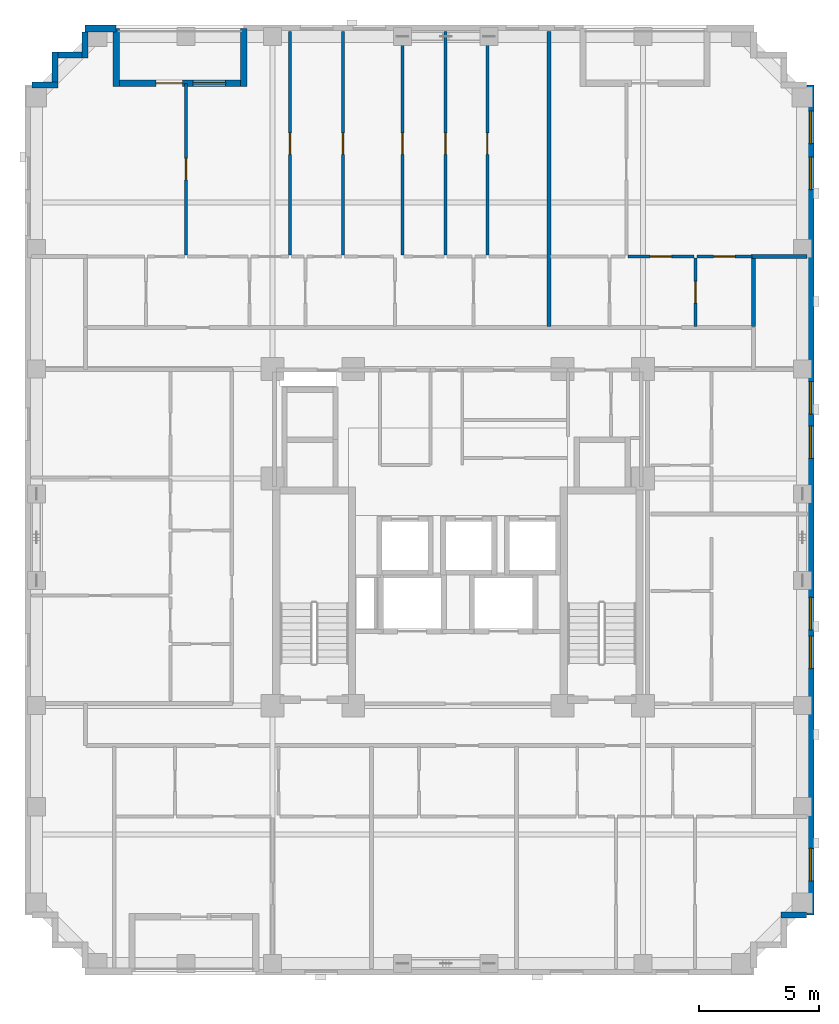
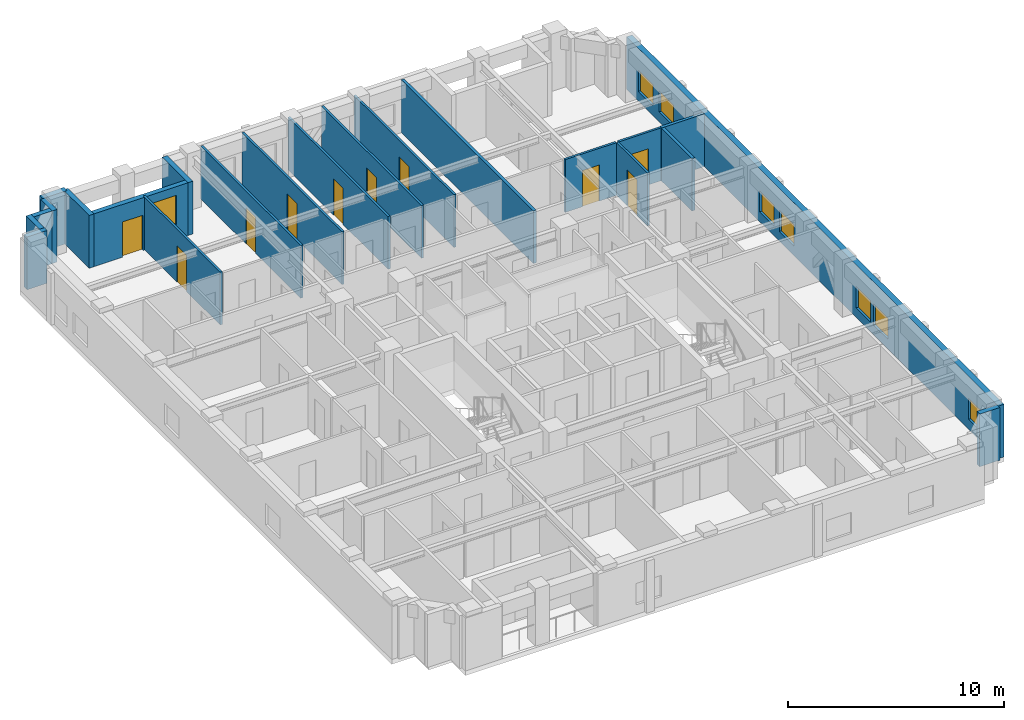
# One storey, part 7 of 11: 22 walls, 10 doors, 8 windows, 18 openings.
"""IFC4 building model written with IfcOpenShell, lengths in metres."""

from ifc_helpers import new_model, si_unit, derived_unit, direction, frame, frame_2d, origin, place, context, subcontext, project, spatial, rectangle, extrude, material, layer, layer_set, type_object, element, fill, save


model = new_model("IFC4")

# Units and contexts
model_context = context("Model", 3, precision=1e-05, world=origin(), true_north=direction((0.0, 1.0)))
body_context = subcontext(model_context, "Body", "Model", "MODEL_VIEW")
ifc_project = project(units=[si_unit("LENGTHUNIT", "METRE"), si_unit("AREAUNIT", "SQUARE_METRE"), si_unit("VOLUMEUNIT", "CUBIC_METRE"), si_unit("PLANEANGLEUNIT", "RADIAN"), si_unit("MASSUNIT", "GRAM", prefix="KILO"), derived_unit("THERMALTRANSMITTANCEUNIT", [(si_unit("MASSUNIT", "GRAM", prefix="KILO"), 1), (si_unit("TIMEUNIT", "SECOND"), -3), (si_unit("THERMODYNAMICTEMPERATUREUNIT", "KELVIN"), -1)])], contexts=[model_context])

# Site, building, storey
site_placement = place(None, origin())
site = spatial("IfcSite", under=ifc_project, at=site_placement, CompositionType="ELEMENT")
building_placement = place(site_placement, origin())
building = spatial("IfcBuilding", under=site, at=building_placement, Name="Korrvale Station Residences", CompositionType="ELEMENT")
storey_placement = place(building_placement, frame((0.0, 0.0, 134.14990234375)))
storey = spatial("IfcBuildingStorey", under=building, at=storey_placement, Name="L38", CompositionType="ELEMENT", Elevation=134.14990234375)

# Wall
ifc_material_1 = material(Name="Precast concrete C45/55", Category="concrete")
ifc_layer_1 = layer(ifc_material_1, 0.260009765625, Name="Precast concrete C45/55")
ifc_layer_set_1 = layer_set([ifc_layer_1], Name="Precast concrete C45/55")
wall_type_1 = type_object("IfcWallType", Name="WAL-EXT-LOG260", PredefinedType="SOLIDWALL", material=ifc_layer_set_1)
wall_1_placement = place(storey_placement, frame((11.300048828125, 43.139892578125, 0.0), z_axis=(0.0, 0.0, 1.0), x_axis=(0.0, -1.0, 0.0)))
element("IfcWall", 1, at=wall_1_placement, inside=storey, type_object=wall_type_1, Name="L38 Recessed Loggia Wall BAL-L38-N2-L", PredefinedType="SOLIDWALL", context=body_context, shape_type="SweptSolid", body=[
    extrude(rectangle(XDim=2.39990234375, YDim=0.260009765625, at=frame_2d((1.199951171875, 0.0))), origin(), (0.0, 0.0, 1.0), 2.989990234375),
])

# Wall, openings, door, window
wall_2_placement = place(storey_placement, frame((11.43408203125, 40.8701171875, 0.0), z_axis=(0.0, 0.0, 1.0), x_axis=(1.0, 0.0, 0.0)))
wall_2 = element("IfcWall", 2, at=wall_2_placement, inside=storey, type_object=wall_type_1, Name="L38 Recessed Loggia Wall BAL-L38-N2-B", PredefinedType="SOLIDWALL", context=body_context, shape_type="SweptSolid", body=[
    extrude(rectangle(XDim=5.031982421875, YDim=0.260009765625, at=frame_2d((2.51611328125, 0.0))), origin(), (0.0, 0.0, 1.0), 2.989990234375),
])
opening_1_placement = place(wall_2_placement, frame((1.52587890625, 0.0, 0.0)))
opening_1 = element("IfcOpeningElement", 3, at=opening_1_placement, cuts=wall_2, Name="Opening BD-01", PredefinedType="OPENING", context=body_context, shape_type="SweptSolid", body=[
    extrude(rectangle(XDim=1.10009765625, YDim=2.0, at=frame_2d((0.550048828125, 1.0))), frame((0.0, 0.14013671875, 0.0), z_axis=(0.0, -1.0, 0.0), x_axis=(1.0, 0.0, 0.0)), (0.0, 0.0, 1.0), 0.280029296875),
])
opening_2_placement = place(wall_2_placement, frame((3.06103515625, 0.0, 0.85009765625)))
opening_2 = element("IfcOpeningElement", 4, at=opening_2_placement, cuts=wall_2, Name="Opening W-06", PredefinedType="OPENING", context=body_context, shape_type="SweptSolid", body=[
    extrude(rectangle(XDim=1.35009765625, YDim=1.64990234375, at=frame_2d((0.675048828125, 0.824951171875))), frame((0.0, 0.14013671875, 0.0), z_axis=(0.0, -1.0, 0.0), x_axis=(1.0, 0.0, 0.0)), (0.0, 0.0, 1.0), 0.280029296875),
])
ifc_material_2 = material(Name="Exterior thermally broken aluminium glazed balcony door", Category="aluminium")
door_type_1 = type_object("IfcDoorType", Name="DR-EXT-BAL", OperationType="NOTDEFINED", PredefinedType="DOOR", material=ifc_material_2)
door_1_placement = place(opening_1_placement, origin())
door_1 = element("IfcDoor", 5, at=door_1_placement, inside=storey, type_object=door_type_1, Name="L38 Loggia Balcony Door BAL-L38-N2", OperationType="SINGLE_SWING_LEFT", OverallHeight=2.0, OverallWidth=1.10009765625, PredefinedType="DOOR", context=body_context, shape_type="SweptSolid", body=[
    extrude(rectangle(XDim=1.10009765625, YDim=2.0, at=frame_2d((0.550048828125, 1.0))), frame((0.0, 0.02490234375, 0.0), z_axis=(0.0, -1.0, 0.0), x_axis=(1.0, 0.0, 0.0)), (0.0, 0.0, 1.0), 0.050048828125),
])
fill(opening_1, door_1)
ifc_material_3 = material(Name="Thermally broken aluminium frame with triple low-e glazing", Category="aluminium")
window_type_1 = type_object("IfcWindowType", Name="WIN-W06", PartitioningType="SINGLE_PANEL", PredefinedType="WINDOW", material=ifc_material_3)
window_1_placement = place(opening_2_placement, origin())
window_1 = element("IfcWindow", 6, at=window_1_placement, inside=storey, type_object=window_type_1, Name="L38 Punched Window 08", OverallHeight=1.64990234375, OverallWidth=1.35009765625, PartitioningType="SINGLE_PANEL", PredefinedType="WINDOW", context=body_context, shape_type="SweptSolid", body=[
    extrude(rectangle(XDim=1.35009765625, YDim=1.64990234375, at=frame_2d((0.675048828125, 0.824951171875))), frame((0.0, 0.030029296875, 0.0), z_axis=(0.0, -1.0, 0.0), x_axis=(1.0, 0.0, 0.0)), (0.0, 0.0, 1.0), 0.06005859375),
])
fill(opening_2, window_1)

# Walls
wall_3_placement = place(storey_placement, frame((16.60009765625, 40.739990234375, 0.0), z_axis=(0.0, 0.0, 1.0), x_axis=(0.0, 1.0, 0.0)))
element("IfcWall", 7, at=wall_3_placement, inside=storey, type_object=wall_type_1, Name="L38 Recessed Loggia Wall BAL-L38-N2-R", PredefinedType="SOLIDWALL", context=body_context, shape_type="SweptSolid", body=[
    extrude(rectangle(XDim=2.39990234375, YDim=0.260009765625, at=frame_2d((1.199951171875, 0.0))), origin(), (0.0, 0.0, 1.0), 2.989990234375),
])
wall_4_placement = place(storey_placement, frame((7.802001953125, 40.800048828125, 0.0), z_axis=(0.0, 0.0, 1.0), x_axis=(1.0, 0.0, 0.0)))
element("IfcWall", 8, at=wall_4_placement, inside=storey, type_object=wall_type_1, Name="L38 Serrated Corner Precast Step NW-1", PredefinedType="SOLIDWALL", context=body_context, shape_type="SweptSolid", body=[
    extrude(rectangle(XDim=1.077880859375, YDim=0.260009765625, at=frame_2d((0.5390625, 0.0))), origin(), (0.0, 0.0, 1.0), 2.989990234375),
])
wall_5_placement = place(storey_placement, frame((8.75, 40.931884765625, 0.0), z_axis=(0.0, 0.0, 1.0), x_axis=(0.0, 1.0, 0.0)))
element("IfcWall", 9, at=wall_5_placement, inside=storey, type_object=wall_type_1, Name="L38 Serrated Corner Precast Step NW-2", PredefinedType="SOLIDWALL", context=body_context, shape_type="SweptSolid", body=[
    extrude(rectangle(XDim=1.248046875, YDim=0.260009765625, at=frame_2d((0.6240234375, 0.0))), origin(), (0.0, 0.0, 1.0), 2.989990234375),
])
wall_6_placement = place(storey_placement, frame((8.882080078125, 42.050048828125, 0.0), z_axis=(0.0, 0.0, 1.0), x_axis=(1.0, 0.0, 0.0)))
element("IfcWall", 10, at=wall_6_placement, inside=storey, type_object=wall_type_1, Name="L38 Serrated Corner Precast Step NW-3", PredefinedType="SOLIDWALL", context=body_context, shape_type="SweptSolid", body=[
    extrude(rectangle(XDim=0.98583984375, YDim=0.260009765625, at=frame_2d((0.492919921875, 0.0))), origin(), (0.0, 0.0, 1.0), 2.989990234375),
])
for number, where, z_axis, x_axis, name in (
    (11, (10.0, 41.919921875, 0.0), (0.0, 0.0, 1.0), (0.0, 1.0, 0.0), "L38 Serrated Corner Precast Step NW-4"),
    (12, (39.998046875, 6.300048828125, 0.0), (0.0, 0.0, 1.0), (-1.0, 0.0, 0.0), "L38 Serrated Corner Precast Step SE-1"),
):
    element("IfcWall", number, at=place(storey_placement, frame(where, z_axis=z_axis, x_axis=x_axis)), inside=storey, type_object=wall_type_1, Name=name, PredefinedType="SOLIDWALL", context=body_context, shape_type="SweptSolid", body=[
        extrude(rectangle(XDim=1.078125, YDim=0.260009765625, at=frame_2d((0.5390625, 0.0))), origin(), (0.0, 0.0, 1.0), 2.989990234375),
    ])
ifc_layer_2 = layer(ifc_material_1, 0.300048828125, Name="Precast concrete C45/55")
ifc_layer_set_2 = layer_set([ifc_layer_2], Name="Precast concrete C45/55")
wall_type_2 = type_object("IfcWallType", Name="WAL-EXT-PC300", PredefinedType="SOLIDWALL", material=ifc_layer_set_2)
wall_7_placement = place(storey_placement, frame((10.0, 43.14990234375, 0.0), z_axis=(0.0, 0.0, 1.0), x_axis=(1.0, 0.0, 0.0)))
element("IfcWall", 13, at=wall_7_placement, inside=storey, type_object=wall_type_2, Name="L38 North Exterior Precast Wall 1", PredefinedType="SOLIDWALL", context=body_context, shape_type="SweptSolid", body=[
    extrude(rectangle(XDim=1.300048828125, YDim=0.300048828125, at=frame_2d((0.64990234375, 0.0))), origin(), (0.0, 0.0, 1.0), 2.989990234375),
])

# Wall, openings, windows
wall_8_placement = place(storey_placement, frame((40.14990234375, 40.800048828125, 0.0), z_axis=(0.0, 0.0, 1.0), x_axis=(0.0, -1.0, 0.0)))
wall_8 = element("IfcWall", 14, at=wall_8_placement, inside=storey, type_object=wall_type_2, Name="L38 East Exterior Precast Wall 1", PredefinedType="SOLIDWALL", context=body_context, shape_type="SweptSolid", body=[
    extrude(rectangle(XDim=34.5, YDim=0.300048828125, at=frame_2d((17.25, 0.0))), origin(), (0.0, 0.0, 1.0), 2.989990234375),
])
opening_3_placement = place(wall_8_placement, frame((31.72509765625, 0.0, 0.550048828125)))
opening_3 = element("IfcOpeningElement", 15, at=opening_3_placement, cuts=wall_8, Name="Opening W-10", PredefinedType="OPENING", context=body_context, shape_type="SweptSolid", body=[
    extrude(rectangle(XDim=1.35009765625, YDim=1.199951171875, at=frame_2d((0.675048828125, 0.60009765625))), frame((0.0, 0.16015625, 0.0), z_axis=(0.0, -1.0, 0.0), x_axis=(1.0, 0.0, 0.0)), (0.0, 0.0, 1.0), 0.320068359375),
])
opening_4_placement = place(wall_8_placement, frame((3.0, 0.0, 0.550048828125)))
opening_4 = element("IfcOpeningElement", 16, at=opening_4_placement, cuts=wall_8, Name="Opening W-10", PredefinedType="OPENING", context=body_context, shape_type="SweptSolid", body=[
    extrude(rectangle(XDim=1.35009765625, YDim=1.199951171875, at=frame_2d((0.675048828125, 0.60009765625))), frame((0.0, 0.16015625, 0.0), z_axis=(0.0, -1.0, 0.0), x_axis=(1.0, 0.0, 0.0)), (0.0, 0.0, 1.0), 0.320068359375),
])
opening_5_placement = place(wall_8_placement, frame((1.0849609375, 0.0, 0.550048828125)))
opening_5 = element("IfcOpeningElement", 17, at=opening_5_placement, cuts=wall_8, Name="Opening W-10", PredefinedType="OPENING", context=body_context, shape_type="SweptSolid", body=[
    extrude(rectangle(XDim=1.35009765625, YDim=1.199951171875, at=frame_2d((0.675048828125, 0.60009765625))), frame((0.0, 0.16015625, 0.0), z_axis=(0.0, -1.0, 0.0), x_axis=(1.0, 0.0, 0.0)), (0.0, 0.0, 1.0), 0.320068359375),
])
opening_6_placement = place(wall_8_placement, frame((21.300048828125, 0.0, 0.550048828125)))
opening_6 = element("IfcOpeningElement", 18, at=opening_6_placement, cuts=wall_8, Name="Opening W-10", PredefinedType="OPENING", context=body_context, shape_type="SweptSolid", body=[
    extrude(rectangle(XDim=1.35009765625, YDim=1.199951171875, at=frame_2d((0.675048828125, 0.60009765625))), frame((0.0, 0.16015625, 0.0), z_axis=(0.0, -1.0, 0.0), x_axis=(1.0, 0.0, 0.0)), (0.0, 0.0, 1.0), 0.320068359375),
])
opening_7_placement = place(wall_8_placement, frame((22.909912109375, 0.0, 0.550048828125)))
opening_7 = element("IfcOpeningElement", 19, at=opening_7_placement, cuts=wall_8, Name="Opening W-10", PredefinedType="OPENING", context=body_context, shape_type="SweptSolid", body=[
    extrude(rectangle(XDim=1.35009765625, YDim=1.199951171875, at=frame_2d((0.675048828125, 0.60009765625))), frame((0.0, 0.16015625, 0.0), z_axis=(0.0, -1.0, 0.0), x_axis=(1.0, 0.0, 0.0)), (0.0, 0.0, 1.0), 0.320068359375),
])
opening_8_placement = place(wall_8_placement, frame((14.175048828125, 0.0, 0.550048828125)))
opening_8 = element("IfcOpeningElement", 20, at=opening_8_placement, cuts=wall_8, Name="Opening W-10", PredefinedType="OPENING", context=body_context, shape_type="SweptSolid", body=[
    extrude(rectangle(XDim=1.35009765625, YDim=1.199951171875, at=frame_2d((0.675048828125, 0.60009765625))), frame((0.0, 0.16015625, 0.0), z_axis=(0.0, -1.0, 0.0), x_axis=(1.0, 0.0, 0.0)), (0.0, 0.0, 1.0), 0.320068359375),
])
opening_9_placement = place(wall_8_placement, frame((12.3349609375, 0.0, 0.550048828125)))
opening_9 = element("IfcOpeningElement", 21, at=opening_9_placement, cuts=wall_8, Name="Opening W-10", PredefinedType="OPENING", context=body_context, shape_type="SweptSolid", body=[
    extrude(rectangle(XDim=1.35009765625, YDim=1.199951171875, at=frame_2d((0.675048828125, 0.60009765625))), frame((0.0, 0.16015625, 0.0), z_axis=(0.0, -1.0, 0.0), x_axis=(1.0, 0.0, 0.0)), (0.0, 0.0, 1.0), 0.320068359375),
])
window_type_2 = type_object("IfcWindowType", Name="WIN-W10", PartitioningType="SINGLE_PANEL", PredefinedType="WINDOW", material=ifc_material_3)
window_2_placement = place(opening_3_placement, origin())
window_2 = element("IfcWindow", 22, at=window_2_placement, inside=storey, type_object=window_type_2, Name="L38 Punched Window 05", OverallHeight=1.199951171875, OverallWidth=1.35009765625, PartitioningType="SINGLE_PANEL", PredefinedType="WINDOW", context=body_context, shape_type="SweptSolid", body=[
    extrude(rectangle(XDim=1.35009765625, YDim=1.199951171875, at=frame_2d((0.675048828125, 0.60009765625))), frame((0.0, 0.030029296875, 0.0), z_axis=(0.0, -1.0, 0.0), x_axis=(1.0, 0.0, 0.0)), (0.0, 0.0, 1.0), 0.06005859375),
])
fill(opening_3, window_2)
window_3_placement = place(opening_4_placement, origin())
window_3 = element("IfcWindow", 23, at=window_3_placement, inside=storey, type_object=window_type_2, Name="L38 Punched Window 13", OverallHeight=1.199951171875, OverallWidth=1.35009765625, PartitioningType="SINGLE_PANEL", PredefinedType="WINDOW", context=body_context, shape_type="SweptSolid", body=[
    extrude(rectangle(XDim=1.35009765625, YDim=1.199951171875, at=frame_2d((0.675048828125, 0.60009765625))), frame((0.0, 0.030029296875, 0.0), z_axis=(0.0, -1.0, 0.0), x_axis=(1.0, 0.0, 0.0)), (0.0, 0.0, 1.0), 0.06005859375),
])
fill(opening_4, window_3)
window_4_placement = place(opening_5_placement, origin())
window_4 = element("IfcWindow", 24, at=window_4_placement, inside=storey, type_object=window_type_2, Name="L38 Punched Window 14", OverallHeight=1.199951171875, OverallWidth=1.35009765625, PartitioningType="SINGLE_PANEL", PredefinedType="WINDOW", context=body_context, shape_type="SweptSolid", body=[
    extrude(rectangle(XDim=1.35009765625, YDim=1.199951171875, at=frame_2d((0.675048828125, 0.60009765625))), frame((0.0, 0.030029296875, 0.0), z_axis=(0.0, -1.0, 0.0), x_axis=(1.0, 0.0, 0.0)), (0.0, 0.0, 1.0), 0.06005859375),
])
fill(opening_5, window_4)
window_5_placement = place(opening_6_placement, origin())
window_5 = element("IfcWindow", 25, at=window_5_placement, inside=storey, type_object=window_type_2, Name="L38 Punched Window 17", OverallHeight=1.199951171875, OverallWidth=1.35009765625, PartitioningType="SINGLE_PANEL", PredefinedType="WINDOW", context=body_context, shape_type="SweptSolid", body=[
    extrude(rectangle(XDim=1.35009765625, YDim=1.199951171875, at=frame_2d((0.675048828125, 0.60009765625))), frame((0.0, 0.030029296875, 0.0), z_axis=(0.0, -1.0, 0.0), x_axis=(1.0, 0.0, 0.0)), (0.0, 0.0, 1.0), 0.06005859375),
])
fill(opening_6, window_5)
window_6_placement = place(opening_7_placement, origin())
window_6 = element("IfcWindow", 26, at=window_6_placement, inside=storey, type_object=window_type_2, Name="L38 Punched Window 18", OverallHeight=1.199951171875, OverallWidth=1.35009765625, PartitioningType="SINGLE_PANEL", PredefinedType="WINDOW", context=body_context, shape_type="SweptSolid", body=[
    extrude(rectangle(XDim=1.35009765625, YDim=1.199951171875, at=frame_2d((0.675048828125, 0.60009765625))), frame((0.0, 0.030029296875, 0.0), z_axis=(0.0, -1.0, 0.0), x_axis=(1.0, 0.0, 0.0)), (0.0, 0.0, 1.0), 0.06005859375),
])
fill(opening_7, window_6)
window_7_placement = place(opening_8_placement, origin())
window_7 = element("IfcWindow", 27, at=window_7_placement, inside=storey, type_object=window_type_2, Name="L38 Punched Window 19", OverallHeight=1.199951171875, OverallWidth=1.35009765625, PartitioningType="SINGLE_PANEL", PredefinedType="WINDOW", context=body_context, shape_type="SweptSolid", body=[
    extrude(rectangle(XDim=1.35009765625, YDim=1.199951171875, at=frame_2d((0.675048828125, 0.60009765625))), frame((0.0, 0.030029296875, 0.0), z_axis=(0.0, -1.0, 0.0), x_axis=(1.0, 0.0, 0.0)), (0.0, 0.0, 1.0), 0.06005859375),
])
fill(opening_8, window_7)
window_8_placement = place(opening_9_placement, origin())
window_8 = element("IfcWindow", 28, at=window_8_placement, inside=storey, type_object=window_type_2, Name="L38 Punched Window 20", OverallHeight=1.199951171875, OverallWidth=1.35009765625, PartitioningType="SINGLE_PANEL", PredefinedType="WINDOW", context=body_context, shape_type="SweptSolid", body=[
    extrude(rectangle(XDim=1.35009765625, YDim=1.199951171875, at=frame_2d((0.675048828125, 0.60009765625))), frame((0.0, 0.030029296875, 0.0), z_axis=(0.0, -1.0, 0.0), x_axis=(1.0, 0.0, 0.0)), (0.0, 0.0, 1.0), 0.06005859375),
])
fill(opening_9, window_8)

# Wall, opening, door
ifc_material_4 = material(Name="Acoustic steel-stud gypsum board partition", Category="steel")
ifc_layer_3 = layer(ifc_material_4, 0.1201171875, Name="Acoustic steel-stud gypsum board partition")
ifc_layer_set_3 = layer_set([ifc_layer_3], Name="Acoustic steel-stud gypsum board partition")
wall_type_3 = type_object("IfcWallType", Name="WAL-PART-125", PredefinedType="PARTITIONING", material=ifc_layer_set_3)
wall_9_placement = place(storey_placement, frame((14.199951171875, 33.72998046875, 0.0), z_axis=(0.0, 0.0, 1.0), x_axis=(0.0, 1.0, 0.0)))
wall_9 = element("IfcWall", 29, at=wall_9_placement, inside=storey, type_object=wall_type_3, Name="L38 Suite Partition U04-V67", PredefinedType="PARTITIONING", context=body_context, shape_type="SweptSolid", body=[
    extrude(rectangle(XDim=7.14013671875, YDim=0.1201171875, at=frame_2d((3.570068359375, 0.0))), origin(), (0.0, 0.0, 1.0), 2.989990234375),
])
opening_10_placement = place(wall_9_placement, frame((3.1201171875, 0.0, 0.0)))
opening_10 = element("IfcOpeningElement", 30, at=opening_10_placement, cuts=wall_9, Name="Opening DI-900", PredefinedType="OPENING", context=body_context, shape_type="SweptSolid", body=[
    extrude(rectangle(XDim=0.89990234375, YDim=2.050048828125, at=frame_2d((0.449951171875, 1.02490234375))), frame((0.0, 0.070068359375, 0.0), z_axis=(0.0, -1.0, 0.0), x_axis=(1.0, 0.0, 0.0)), (0.0, 0.0, 1.0), 0.14013671875),
])
ifc_material_5 = material(Name="Painted solid-core timber interior room door", Category="wood")
door_type_2 = type_object("IfcDoorType", Name="DR-INT-900", OperationType="NOTDEFINED", PredefinedType="DOOR", material=ifc_material_5)
door_2_placement = place(opening_10_placement, origin())
door_2 = element("IfcDoor", 31, at=door_2_placement, inside=storey, type_object=door_type_2, Name="L38 Apartment 2BR L38-U04 Living and Dining Room Door", OperationType="SINGLE_SWING_RIGHT", OverallHeight=2.050048828125, OverallWidth=0.89990234375, PredefinedType="DOOR", context=body_context, shape_type="SweptSolid", body=[
    extrude(rectangle(XDim=0.89990234375, YDim=2.050048828125, at=frame_2d((0.449951171875, 1.02490234375))), frame((0.0, 0.02490234375, 0.0), z_axis=(0.0, -1.0, 0.0), x_axis=(1.0, 0.0, 0.0)), (0.0, 0.0, 1.0), 0.050048828125),
])
fill(opening_10, door_2)

wall_10_placement = place(storey_placement, frame((18.52001953125, 33.72998046875, 0.0), z_axis=(0.0, 0.0, 1.0), x_axis=(0.0, 1.0, 0.0)))
wall_10 = element("IfcWall", 32, at=wall_10_placement, inside=storey, type_object=wall_type_3, Name="L38 Suite Partition U04-V78", PredefinedType="PARTITIONING", context=body_context, shape_type="SweptSolid", body=[
    extrude(rectangle(XDim=9.2900390625, YDim=0.1201171875, at=frame_2d((4.64501953125, 0.0))), origin(), (0.0, 0.0, 1.0), 2.989990234375),
])
opening_11_placement = place(wall_10_placement, frame((4.179931640625, 0.0, 0.0)))
opening_11 = element("IfcOpeningElement", 33, at=opening_11_placement, cuts=wall_10, Name="Opening DI-900", PredefinedType="OPENING", context=body_context, shape_type="SweptSolid", body=[
    extrude(rectangle(XDim=0.89990234375, YDim=2.050048828125, at=frame_2d((0.449951171875, 1.02490234375))), frame((0.0, 0.070068359375, 0.0), z_axis=(0.0, -1.0, 0.0), x_axis=(1.0, 0.0, 0.0)), (0.0, 0.0, 1.0), 0.14013671875),
])
door_3_placement = place(opening_11_placement, origin())
door_3 = element("IfcDoor", 34, at=door_3_placement, inside=storey, type_object=door_type_2, Name="L38 Apartment 2BR L38-U04 Formal Dining Room Door", OperationType="SINGLE_SWING_LEFT", OverallHeight=2.050048828125, OverallWidth=0.89990234375, PredefinedType="DOOR", context=body_context, shape_type="SweptSolid", body=[
    extrude(rectangle(XDim=0.89990234375, YDim=2.050048828125, at=frame_2d((0.449951171875, 1.02490234375))), frame((0.0, 0.02490234375, 0.0), z_axis=(0.0, -1.0, 0.0), x_axis=(1.0, 0.0, 0.0)), (0.0, 0.0, 1.0), 0.050048828125),
])
fill(opening_11, door_3)

wall_11_placement = place(storey_placement, frame((20.72705078125, 33.72998046875, 0.0), z_axis=(0.0, 0.0, 1.0), x_axis=(0.0, 1.0, 0.0)))
wall_11 = element("IfcWall", 35, at=wall_11_placement, inside=storey, type_object=wall_type_3, Name="L38 Suite Partition U04-V89", PredefinedType="PARTITIONING", context=body_context, shape_type="SweptSolid", body=[
    extrude(rectangle(XDim=9.2900390625, YDim=0.1201171875, at=frame_2d((4.64501953125, 0.0))), origin(), (0.0, 0.0, 1.0), 2.989990234375),
])
opening_12_placement = place(wall_11_placement, frame((4.179931640625, 0.0, 0.0)))
opening_12 = element("IfcOpeningElement", 36, at=opening_12_placement, cuts=wall_11, Name="Opening DI-900", PredefinedType="OPENING", context=body_context, shape_type="SweptSolid", body=[
    extrude(rectangle(XDim=0.89990234375, YDim=2.050048828125, at=frame_2d((0.449951171875, 1.02490234375))), frame((0.0, 0.070068359375, 0.0), z_axis=(0.0, -1.0, 0.0), x_axis=(1.0, 0.0, 0.0)), (0.0, 0.0, 1.0), 0.14013671875),
])
door_4_placement = place(opening_12_placement, origin())
door_4 = element("IfcDoor", 37, at=door_4_placement, inside=storey, type_object=door_type_2, Name="L38 Apartment 2BR L38-U04 Home Study Room Door", OperationType="SINGLE_SWING_RIGHT", OverallHeight=2.050048828125, OverallWidth=0.89990234375, PredefinedType="DOOR", context=body_context, shape_type="SweptSolid", body=[
    extrude(rectangle(XDim=0.89990234375, YDim=2.050048828125, at=frame_2d((0.449951171875, 1.02490234375))), frame((0.0, 0.02490234375, 0.0), z_axis=(0.0, -1.0, 0.0), x_axis=(1.0, 0.0, 0.0)), (0.0, 0.0, 1.0), 0.050048828125),
])
fill(opening_12, door_4)

wall_12_placement = place(storey_placement, frame((23.199951171875, 33.72998046875, 0.0), z_axis=(0.0, 0.0, 1.0), x_axis=(0.0, 1.0, 0.0)))
wall_12 = element("IfcWall", 38, at=wall_12_placement, inside=storey, type_object=wall_type_3, Name="L38 Suite Partition U04-V910", PredefinedType="PARTITIONING", context=body_context, shape_type="SweptSolid", body=[
    extrude(rectangle(XDim=9.2900390625, YDim=0.1201171875, at=frame_2d((4.64501953125, 0.0))), origin(), (0.0, 0.0, 1.0), 2.989990234375),
])
opening_13_placement = place(wall_12_placement, frame((4.179931640625, 0.0, 0.0)))
opening_13 = element("IfcOpeningElement", 39, at=opening_13_placement, cuts=wall_12, Name="Opening DI-900", PredefinedType="OPENING", context=body_context, shape_type="SweptSolid", body=[
    extrude(rectangle(XDim=0.89990234375, YDim=2.050048828125, at=frame_2d((0.449951171875, 1.02490234375))), frame((0.0, 0.070068359375, 0.0), z_axis=(0.0, -1.0, 0.0), x_axis=(1.0, 0.0, 0.0)), (0.0, 0.0, 1.0), 0.14013671875),
])
door_5_placement = place(opening_13_placement, origin())
door_5 = element("IfcDoor", 40, at=door_5_placement, inside=storey, type_object=door_type_2, Name="L38 Apartment 2BR L38-U04 Bedroom 1 Door", OperationType="SINGLE_SWING_LEFT", OverallHeight=2.050048828125, OverallWidth=0.89990234375, PredefinedType="DOOR", context=body_context, shape_type="SweptSolid", body=[
    extrude(rectangle(XDim=0.89990234375, YDim=2.050048828125, at=frame_2d((0.449951171875, 1.02490234375))), frame((0.0, 0.02490234375, 0.0), z_axis=(0.0, -1.0, 0.0), x_axis=(1.0, 0.0, 0.0)), (0.0, 0.0, 1.0), 0.050048828125),
])
fill(opening_13, door_5)

wall_13_placement = place(storey_placement, frame((24.985107421875, 33.72998046875, 0.0), z_axis=(0.0, 0.0, 1.0), x_axis=(0.0, 1.0, 0.0)))
wall_13 = element("IfcWall", 41, at=wall_13_placement, inside=storey, type_object=wall_type_3, Name="L38 Suite Partition U04-V1011", PredefinedType="PARTITIONING", context=body_context, shape_type="SweptSolid", body=[
    extrude(rectangle(XDim=9.2900390625, YDim=0.1201171875, at=frame_2d((4.64501953125, 0.0))), origin(), (0.0, 0.0, 1.0), 2.989990234375),
])
opening_14_placement = place(wall_13_placement, frame((4.179931640625, 0.0, 0.0)))
opening_14 = element("IfcOpeningElement", 42, at=opening_14_placement, cuts=wall_13, Name="Opening DI-900", PredefinedType="OPENING", context=body_context, shape_type="SweptSolid", body=[
    extrude(rectangle(XDim=0.89990234375, YDim=2.050048828125, at=frame_2d((0.449951171875, 1.02490234375))), frame((0.0, 0.070068359375, 0.0), z_axis=(0.0, -1.0, 0.0), x_axis=(1.0, 0.0, 0.0)), (0.0, 0.0, 1.0), 0.14013671875),
])
door_6_placement = place(opening_14_placement, origin())
door_6 = element("IfcDoor", 43, at=door_6_placement, inside=storey, type_object=door_type_2, Name="L38 Apartment 2BR L38-U04 Dressing Closet 1 Door", OperationType="SINGLE_SWING_RIGHT", OverallHeight=2.050048828125, OverallWidth=0.89990234375, PredefinedType="DOOR", context=body_context, shape_type="SweptSolid", body=[
    extrude(rectangle(XDim=0.89990234375, YDim=2.050048828125, at=frame_2d((0.449951171875, 1.02490234375))), frame((0.0, 0.02490234375, 0.0), z_axis=(0.0, -1.0, 0.0), x_axis=(1.0, 0.0, 0.0)), (0.0, 0.0, 1.0), 0.050048828125),
])
fill(opening_14, door_6)

wall_14_placement = place(storey_placement, frame((26.72509765625, 33.72998046875, 0.0), z_axis=(0.0, 0.0, 1.0), x_axis=(0.0, 1.0, 0.0)))
wall_14 = element("IfcWall", 44, at=wall_14_placement, inside=storey, type_object=wall_type_3, Name="L38 Suite Partition U04-V1112", PredefinedType="PARTITIONING", context=body_context, shape_type="SweptSolid", body=[
    extrude(rectangle(XDim=9.2900390625, YDim=0.1201171875, at=frame_2d((4.64501953125, 0.0))), origin(), (0.0, 0.0, 1.0), 2.989990234375),
])
opening_15_placement = place(wall_14_placement, frame((4.179931640625, 0.0, 0.0)))
opening_15 = element("IfcOpeningElement", 45, at=opening_15_placement, cuts=wall_14, Name="Opening DI-900", PredefinedType="OPENING", context=body_context, shape_type="SweptSolid", body=[
    extrude(rectangle(XDim=0.89990234375, YDim=2.050048828125, at=frame_2d((0.449951171875, 1.02490234375))), frame((0.0, 0.070068359375, 0.0), z_axis=(0.0, -1.0, 0.0), x_axis=(1.0, 0.0, 0.0)), (0.0, 0.0, 1.0), 0.14013671875),
])
door_7_placement = place(opening_15_placement, origin())
door_7 = element("IfcDoor", 46, at=door_7_placement, inside=storey, type_object=door_type_2, Name="L38 Apartment 2BR L38-U04 Dressing Closet 2 Door", OperationType="SINGLE_SWING_LEFT", OverallHeight=2.050048828125, OverallWidth=0.89990234375, PredefinedType="DOOR", context=body_context, shape_type="SweptSolid", body=[
    extrude(rectangle(XDim=0.89990234375, YDim=2.050048828125, at=frame_2d((0.449951171875, 1.02490234375))), frame((0.0, 0.02490234375, 0.0), z_axis=(0.0, -1.0, 0.0), x_axis=(1.0, 0.0, 0.0)), (0.0, 0.0, 1.0), 0.050048828125),
])
fill(opening_15, door_7)

wall_15_placement = place(storey_placement, frame((35.373046875, 30.760009765625, 0.0), z_axis=(0.0, 0.0, 1.0), x_axis=(0.0, 1.0, 0.0)))
wall_15 = element("IfcWall", 47, at=wall_15_placement, inside=storey, type_object=wall_type_3, Name="L38 Suite Partition U05-V12", PredefinedType="PARTITIONING", context=body_context, shape_type="SweptSolid", body=[
    extrude(rectangle(XDim=2.85009765625, YDim=0.1201171875, at=frame_2d((1.425048828125, 0.0))), origin(), (0.0, 0.0, 1.0), 2.989990234375),
])
opening_16_placement = place(wall_15_placement, frame((0.97509765625, 0.0, 0.0)))
opening_16 = element("IfcOpeningElement", 48, at=opening_16_placement, cuts=wall_15, Name="Opening DI-900", PredefinedType="OPENING", context=body_context, shape_type="SweptSolid", body=[
    extrude(rectangle(XDim=0.89990234375, YDim=2.050048828125, at=frame_2d((0.449951171875, 1.02490234375))), frame((0.0, 0.070068359375, 0.0), z_axis=(0.0, -1.0, 0.0), x_axis=(1.0, 0.0, 0.0)), (0.0, 0.0, 1.0), 0.14013671875),
])
door_8_placement = place(opening_16_placement, origin())
door_8 = element("IfcDoor", 49, at=door_8_placement, inside=storey, type_object=door_type_2, Name="L38 Studio Apartment L38-U05 Kitchen Door", OperationType="SINGLE_SWING_LEFT", OverallHeight=2.050048828125, OverallWidth=0.89990234375, PredefinedType="DOOR", context=body_context, shape_type="SweptSolid", body=[
    extrude(rectangle(XDim=0.89990234375, YDim=2.050048828125, at=frame_2d((0.449951171875, 1.02490234375))), frame((0.0, 0.02490234375, 0.0), z_axis=(0.0, -1.0, 0.0), x_axis=(1.0, 0.0, 0.0)), (0.0, 0.0, 1.0), 0.050048828125),
])
fill(opening_16, door_8)

wall_16_placement = place(storey_placement, frame((32.56298828125, 33.669921875, 0.0), z_axis=(0.0, 0.0, 1.0), x_axis=(1.0, 0.0, 0.0)))
wall_16 = element("IfcWall", 50, at=wall_16_placement, inside=storey, type_object=wall_type_3, Name="L38 Suite Partition U05-H14", PredefinedType="PARTITIONING", context=body_context, shape_type="SweptSolid", body=[
    extrude(rectangle(XDim=2.75, YDim=0.1201171875, at=frame_2d((1.375, 0.0))), origin(), (0.0, 0.0, 1.0), 2.989990234375),
])
opening_17_placement = place(wall_16_placement, frame((0.925048828125, 0.0, 0.0)))
opening_17 = element("IfcOpeningElement", 51, at=opening_17_placement, cuts=wall_16, Name="Opening DI-900", PredefinedType="OPENING", context=body_context, shape_type="SweptSolid", body=[
    extrude(rectangle(XDim=0.89990234375, YDim=2.050048828125, at=frame_2d((0.449951171875, 1.02490234375))), frame((0.0, 0.070068359375, 0.0), z_axis=(0.0, -1.0, 0.0), x_axis=(1.0, 0.0, 0.0)), (0.0, 0.0, 1.0), 0.14013671875),
])
door_9_placement = place(opening_17_placement, origin())
door_9 = element("IfcDoor", 52, at=door_9_placement, inside=storey, type_object=door_type_2, Name="L38 Studio Apartment L38-U05 Kitchen Door", OperationType="SINGLE_SWING_RIGHT", OverallHeight=2.050048828125, OverallWidth=0.89990234375, PredefinedType="DOOR", context=body_context, shape_type="SweptSolid", body=[
    extrude(rectangle(XDim=0.89990234375, YDim=2.050048828125, at=frame_2d((0.449951171875, 1.02490234375))), frame((0.0, 0.02490234375, 0.0), z_axis=(0.0, -1.0, 0.0), x_axis=(1.0, 0.0, 0.0)), (0.0, 0.0, 1.0), 0.050048828125),
])
fill(opening_17, door_9)

wall_17_placement = place(storey_placement, frame((35.43310546875, 33.669921875, 0.0), z_axis=(0.0, 0.0, 1.0), x_axis=(1.0, 0.0, 0.0)))
wall_17 = element("IfcWall", 53, at=wall_17_placement, inside=storey, type_object=wall_type_3, Name="L38 Suite Partition U05-H24", PredefinedType="PARTITIONING", context=body_context, shape_type="SweptSolid", body=[
    extrude(rectangle(XDim=2.286865234375, YDim=0.1201171875, at=frame_2d((1.1435546875, 0.0))), origin(), (0.0, 0.0, 1.0), 2.989990234375),
])
opening_18_placement = place(wall_17_placement, frame((0.693115234375, 0.0, 0.0)))
opening_18 = element("IfcOpeningElement", 54, at=opening_18_placement, cuts=wall_17, Name="Opening DI-900", PredefinedType="OPENING", context=body_context, shape_type="SweptSolid", body=[
    extrude(rectangle(XDim=0.89990234375, YDim=2.050048828125, at=frame_2d((0.449951171875, 1.02490234375))), frame((0.0, 0.070068359375, 0.0), z_axis=(0.0, -1.0, 0.0), x_axis=(1.0, 0.0, 0.0)), (0.0, 0.0, 1.0), 0.14013671875),
])
door_10_placement = place(opening_18_placement, origin())
door_10 = element("IfcDoor", 55, at=door_10_placement, inside=storey, type_object=door_type_2, Name="L38 Studio Apartment L38-U05 Utility and Laundry Room Door", OperationType="SINGLE_SWING_LEFT", OverallHeight=2.050048828125, OverallWidth=0.89990234375, PredefinedType="DOOR", context=body_context, shape_type="SweptSolid", body=[
    extrude(rectangle(XDim=0.89990234375, YDim=2.050048828125, at=frame_2d((0.449951171875, 1.02490234375))), frame((0.0, 0.02490234375, 0.0), z_axis=(0.0, -1.0, 0.0), x_axis=(1.0, 0.0, 0.0)), (0.0, 0.0, 1.0), 0.050048828125),
])
fill(opening_18, door_10)

# Walls
ifc_material_6 = material(Name="Fire-rated twin-stud gypsum and mineral wool shaftwall assembly", Category="gypsum")
ifc_layer_4 = layer(ifc_material_6, 0.159912109375, Name="Fire-rated twin-stud gypsum and mineral wool shaftwall assembly")
ifc_layer_set_4 = layer_set([ifc_layer_4], Name="Fire-rated twin-stud gypsum and mineral wool shaftwall assembly")
wall_type_4 = type_object("IfcWallType", Name="WAL-PART-200", PredefinedType="PARTITIONING", material=ifc_layer_set_4)
wall_18_placement = place(storey_placement, frame((37.679931640625, 33.669921875, 0.0), z_axis=(0.0, 0.0, 1.0), x_axis=(1.0, 0.0, 0.0)))
element("IfcWall", 56, at=wall_18_placement, inside=storey, type_object=wall_type_4, Name="L38 Corner Step Wall U05-R", PredefinedType="PARTITIONING", context=body_context, shape_type="SweptSolid", body=[
    extrude(rectangle(XDim=2.340087890625, YDim=0.159912109375, at=frame_2d((1.169921875, 0.0))), origin(), (0.0, 0.0, 1.0), 2.989990234375),
])
wall_19_placement = place(storey_placement, frame((37.780029296875, 30.760009765625, 0.0), z_axis=(0.0, 0.0, 1.0), x_axis=(0.0, 1.0, 0.0)))
element("IfcWall", 57, at=wall_19_placement, inside=storey, type_object=wall_type_4, Name="L38 Corner Step Cheek U05-R", PredefinedType="PARTITIONING", context=body_context, shape_type="SweptSolid", body=[
    extrude(rectangle(XDim=2.909912109375, YDim=0.159912109375, at=frame_2d((1.455078125, 0.0))), origin(), (0.0, 0.0, 1.0), 2.989990234375),
])
wall_20_placement = place(storey_placement, frame((29.282958984375, 30.760009765625, 0.0), z_axis=(0.0, 0.0, 1.0), x_axis=(0.0, 1.0, 0.0)))
element("IfcWall", 58, at=wall_20_placement, inside=storey, type_object=wall_type_4, Name="L38 Demising Wall U05-W", PredefinedType="PARTITIONING", context=body_context, shape_type="SweptSolid", body=[
    extrude(rectangle(XDim=12.260009765625, YDim=0.159912109375, at=frame_2d((6.1298828125, 0.0))), origin(), (0.0, 0.0, 1.0), 2.989990234375),
])

save(model, "model.ifc")
